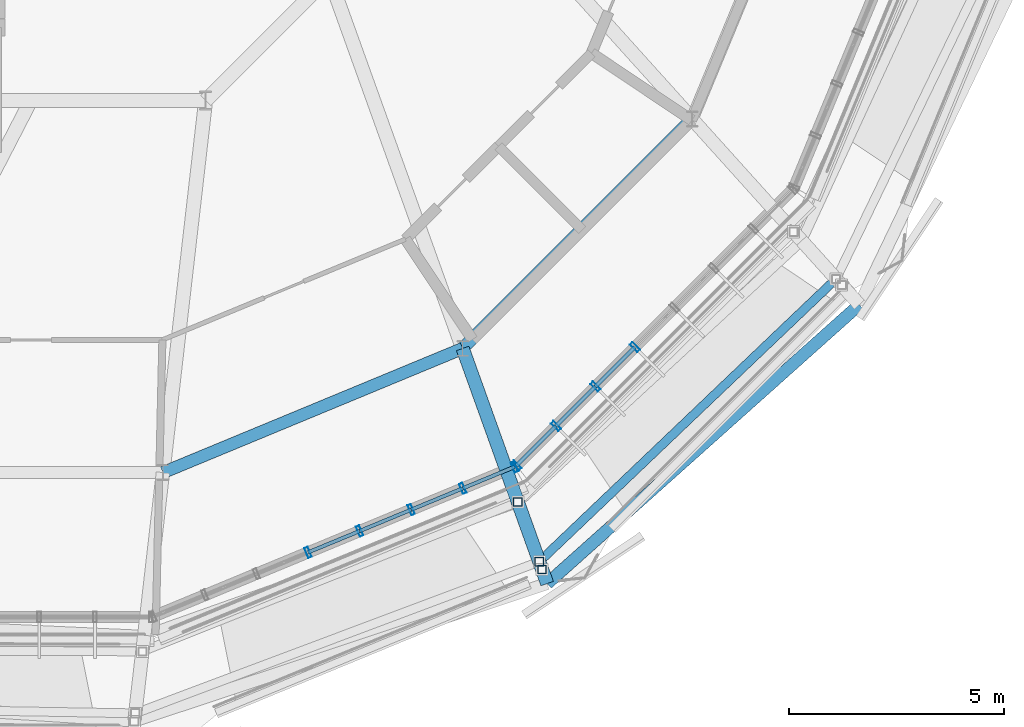
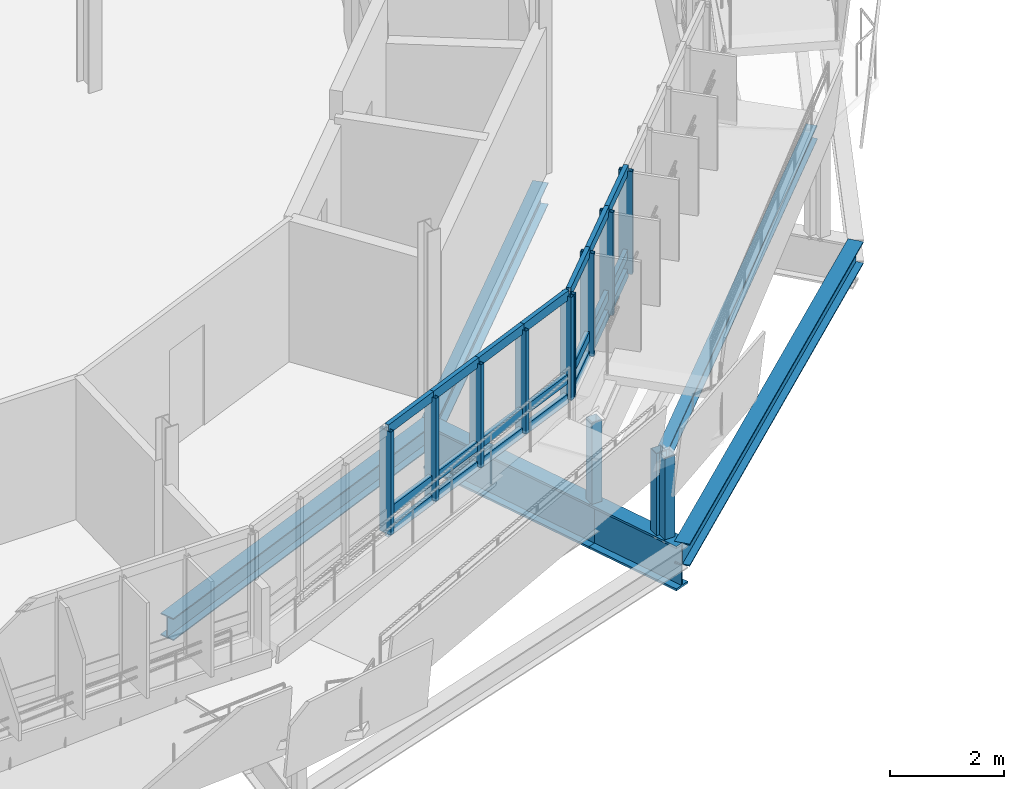
# One storey, part 10 of 38: 33 members, 6 beams, 2 elements without a shape of their own.
"""IFC4 building model written with IfcOpenShell, lengths in metres."""

from ifc_helpers import new_model, si_unit, derived_unit, direction, frame, origin, origin_2d, place, context, subcontext, project, spatial, hollow_rectangle, i_section, extrude, material, layer, layer_set, material_profile, profile_set, type_object, element, aggregate, save


model = new_model("IFC4")

# Units and contexts
model_context = context("Model", 3, precision=1e-05, world=origin(), true_north=direction((0.0, 1.0)))
body_context = subcontext(model_context, "Body", "Model", "MODEL_VIEW")
ifc_project = project(units=[si_unit("LENGTHUNIT", "METRE"), si_unit("AREAUNIT", "SQUARE_METRE"), si_unit("VOLUMEUNIT", "CUBIC_METRE"), si_unit("PLANEANGLEUNIT", "RADIAN"), si_unit("MASSUNIT", "GRAM", prefix="KILO"), derived_unit("THERMALTRANSMITTANCEUNIT", [(si_unit("MASSUNIT", "GRAM", prefix="KILO"), 1), (si_unit("TIMEUNIT", "SECOND"), -3), (si_unit("THERMODYNAMICTEMPERATUREUNIT", "KELVIN"), -1)])], contexts=[model_context])

# Site, building, storey
site_placement = place(None, origin())
site = spatial("IfcSite", under=ifc_project, at=site_placement, CompositionType="ELEMENT")
building_placement = place(site_placement, origin())
building = spatial("IfcBuilding", under=site, at=building_placement, Name="Makaiwela Harbour Ferry Terminal", CompositionType="ELEMENT")
storey_placement = place(building_placement, frame((0.0, 0.0, 17.699951171875)))
storey = spatial("IfcBuildingStorey", under=building, at=storey_placement, Name="L04", CompositionType="ELEMENT", Elevation=17.699951171875)

# Curtain wall, members
ifc_material_1 = material(Name="Marine anodised aluminium 6063-T6", Category="aluminium")
ifc_layer = layer(ifc_material_1, 0.199951171875)
ifc_layer_set = layer_set([ifc_layer], Name="Marine anodised aluminium 6063-T6")
curtain_wall_type = type_object("IfcCurtainWallType", Name="ENV-CW-06", PredefinedType="USERDEFINED", material=ifc_layer_set)
curtain_wall_1_placement = place(storey_placement, origin())
curtain_wall_1 = element("IfcCurtainWall", 1, at=curtain_wall_1_placement, inside=storey, type_object=curtain_wall_type, Name="Unitised Curtain Wall CWA-054", ObjectType="UNITIZED CURTAIN WALL", PredefinedType="USERDEFINED")
ifc_material_profile_1 = material_profile(ifc_material_1, hollow_rectangle(XDim=0.0849609375, YDim=0.25, WallThickness=0.0048828125, at=origin_2d()), Name="CWM-250X85")
ifc_profile_set_1 = profile_set([ifc_material_profile_1], Name="Marine anodised aluminium 6063-T6")
member_type_1 = type_object("IfcMemberType", Name="CW-MUL-250", PredefinedType="MULLION", material=ifc_profile_set_1)
member_1_placement = place(storey_placement, frame((44.234130859375, 47.318603515625, 1.47998046875), z_axis=(0.0, 0.0, 1.0), x_axis=(0.923879532511, 0.382683432365, 0.0)))
member_1 = element("IfcMember", 2, at=member_1_placement, type_object=member_type_1, Name="Curtain Wall Mullion CWA-054-4", PredefinedType="MULLION", context=body_context, shape_type="SweptSolid", body=[
    extrude(hollow_rectangle(XDim=0.0849609375, YDim=0.25, WallThickness=0.0048828125, at=origin_2d()), origin(), (0.0, 0.0, 1.0), 2.199951171875),
])
member_2_placement = place(storey_placement, frame((45.431396484375, 47.814453125, 1.47998046875), z_axis=(0.0, 0.0, 1.0), x_axis=(0.923879532511, 0.382683432365, 0.0)))
member_2 = element("IfcMember", 3, at=member_2_placement, type_object=member_type_1, Name="Curtain Wall Mullion CWA-054-5", PredefinedType="MULLION", context=body_context, shape_type="SweptSolid", body=[
    extrude(hollow_rectangle(XDim=0.0849609375, YDim=0.25, WallThickness=0.0048828125, at=origin_2d()), origin(), (0.0, 0.0, 1.0), 2.199951171875),
])
member_3_placement = place(storey_placement, frame((46.62841796875, 48.310302734375, 1.47998046875), z_axis=(0.0, 0.0, 1.0), x_axis=(0.923879532511, 0.382683432365, 0.0)))
member_3 = element("IfcMember", 4, at=member_3_placement, type_object=member_type_1, Name="Curtain Wall Mullion CWA-054-6", PredefinedType="MULLION", context=body_context, shape_type="SweptSolid", body=[
    extrude(hollow_rectangle(XDim=0.0849609375, YDim=0.25, WallThickness=0.0048828125, at=origin_2d()), origin(), (0.0, 0.0, 1.0), 2.199951171875),
])
member_4_placement = place(storey_placement, frame((47.825439453125, 48.80615234375, 1.47998046875), z_axis=(0.0, 0.0, 1.0), x_axis=(0.923879532511, 0.382683432365, 0.0)))
member_4 = element("IfcMember", 5, at=member_4_placement, type_object=member_type_1, Name="Curtain Wall Mullion CWA-054-7", PredefinedType="MULLION", context=body_context, shape_type="SweptSolid", body=[
    extrude(hollow_rectangle(XDim=0.0849609375, YDim=0.25, WallThickness=0.0048828125, at=origin_2d()), origin(), (0.0, 0.0, 1.0), 2.199951171875),
])
member_5_placement = place(storey_placement, frame((49.022705078125, 49.302001953125, 1.47998046875), z_axis=(0.0, 0.0, 1.0), x_axis=(0.923879532511, 0.382683432365, 0.0)))
member_5 = element("IfcMember", 6, at=member_5_placement, type_object=member_type_1, Name="Curtain Wall Mullion CWA-054-8", PredefinedType="MULLION", context=body_context, shape_type="SweptSolid", body=[
    extrude(hollow_rectangle(XDim=0.0849609375, YDim=0.25, WallThickness=0.0048828125, at=origin_2d()), origin(), (0.0, 0.0, 1.0), 2.199951171875),
])

curtain_wall_2_placement = place(storey_placement, origin())
curtain_wall_2 = element("IfcCurtainWall", 7, at=curtain_wall_2_placement, inside=storey, type_object=curtain_wall_type, Name="Unitised Curtain Wall CWA-055", ObjectType="UNITIZED CURTAIN WALL", PredefinedType="USERDEFINED")
member_6_placement = place(storey_placement, frame((49.071533203125, 49.334716796875, 1.47998046875), z_axis=(0.0, 0.0, 1.0), x_axis=(0.707106781187, 0.707106781187, 0.0)))
member_6 = element("IfcMember", 8, at=member_6_placement, type_object=member_type_1, Name="Curtain Wall Mullion CWA-055-1", PredefinedType="MULLION", context=body_context, shape_type="SweptSolid", body=[
    extrude(hollow_rectangle(XDim=0.0849609375, YDim=0.25, WallThickness=0.0048828125, at=origin_2d()), origin(), (0.0, 0.0, 1.0), 2.199951171875),
])
member_7_placement = place(storey_placement, frame((49.98779296875, 50.2509765625, 1.47998046875), z_axis=(0.0, 0.0, 1.0), x_axis=(0.707106781187, 0.707106781187, 0.0)))
member_7 = element("IfcMember", 9, at=member_7_placement, type_object=member_type_1, Name="Curtain Wall Mullion CWA-055-2", PredefinedType="MULLION", context=body_context, shape_type="SweptSolid", body=[
    extrude(hollow_rectangle(XDim=0.0849609375, YDim=0.25, WallThickness=0.0048828125, at=origin_2d()), origin(), (0.0, 0.0, 1.0), 2.199951171875),
])
member_8_placement = place(storey_placement, frame((50.904052734375, 51.167236328125, 1.47998046875), z_axis=(0.0, 0.0, 1.0), x_axis=(0.707106781187, 0.707106781187, 0.0)))
member_8 = element("IfcMember", 10, at=member_8_placement, type_object=member_type_1, Name="Curtain Wall Mullion CWA-055-3", PredefinedType="MULLION", context=body_context, shape_type="SweptSolid", body=[
    extrude(hollow_rectangle(XDim=0.0849609375, YDim=0.25, WallThickness=0.0048828125, at=origin_2d()), origin(), (0.0, 0.0, 1.0), 2.199951171875),
])
member_9_placement = place(storey_placement, frame((51.8203125, 52.08349609375, 1.47998046875), z_axis=(0.0, 0.0, 1.0), x_axis=(0.707106781187, 0.707106781187, 0.0)))
member_9 = element("IfcMember", 11, at=member_9_placement, type_object=member_type_1, Name="Curtain Wall Mullion CWA-055-4", PredefinedType="MULLION", context=body_context, shape_type="SweptSolid", body=[
    extrude(hollow_rectangle(XDim=0.0849609375, YDim=0.25, WallThickness=0.0048828125, at=origin_2d()), origin(), (0.0, 0.0, 1.0), 2.199951171875),
])

# Member
ifc_material_profile_2 = material_profile(ifc_material_1, hollow_rectangle(XDim=0.0849609375, YDim=0.199951171875, WallThickness=0.0048828125, at=origin_2d()), Name="CWT-200X85")
ifc_profile_set_2 = profile_set([ifc_material_profile_2], Name="Marine anodised aluminium 6063-T6")
member_type_2 = type_object("IfcMemberType", Name="CW-TRN-200", PredefinedType="USERDEFINED", material=ifc_profile_set_2)
member_10_placement = place(storey_placement, frame((44.234130859375, 47.318603515625, 1.47998046875), z_axis=(0.923899734227, 0.382634657467, 0.0), x_axis=(-0.382634657467, 0.923899734227, 0.0)))
member_10 = element("IfcMember", 12, at=member_10_placement, type_object=member_type_2, Name="Curtain Wall Transom CWA-054-4-1", ObjectType="TRANSOM", PredefinedType="USERDEFINED", context=body_context, shape_type="SweptSolid", body=[
    extrude(hollow_rectangle(XDim=0.0849609375, YDim=0.199951171875, WallThickness=0.0048828125, at=origin_2d()), origin(), (0.0, 0.0, 1.0), 1.2958984375),
])

member_11_placement = place(storey_placement, frame((44.234130859375, 47.318603515625, 1.900146484375), z_axis=(0.923899734227, 0.382634657467, 0.0), x_axis=(-0.382634657467, 0.923899734227, 0.0)))
member_11 = element("IfcMember", 13, at=member_11_placement, type_object=member_type_2, Name="Curtain Wall Transom CWA-054-4-2", ObjectType="TRANSOM", PredefinedType="USERDEFINED", context=body_context, shape_type="SweptSolid", body=[
    extrude(hollow_rectangle(XDim=0.0849609375, YDim=0.199951171875, WallThickness=0.0048828125, at=origin_2d()), origin(), (0.0, 0.0, 1.0), 1.2958984375),
])

member_12_placement = place(storey_placement, frame((44.234130859375, 47.318603515625, 3.679931640625), z_axis=(0.923899734227, 0.382634657467, 0.0), x_axis=(-0.382634657467, 0.923899734227, 0.0)))
member_12 = element("IfcMember", 14, at=member_12_placement, type_object=member_type_2, Name="Curtain Wall Transom CWA-054-4-3", ObjectType="TRANSOM", PredefinedType="USERDEFINED", context=body_context, shape_type="SweptSolid", body=[
    extrude(hollow_rectangle(XDim=0.0849609375, YDim=0.199951171875, WallThickness=0.0048828125, at=origin_2d()), origin(), (0.0, 0.0, 1.0), 1.2958984375),
])

member_13_placement = place(storey_placement, frame((45.431396484375, 47.814453125, 1.47998046875), z_axis=(0.92387214393, 0.382701269492, 0.0), x_axis=(-0.382701269492, 0.92387214393, 0.0)))
member_13 = element("IfcMember", 15, at=member_13_placement, type_object=member_type_2, Name="Curtain Wall Transom CWA-054-5-1", ObjectType="TRANSOM", PredefinedType="USERDEFINED", context=body_context, shape_type="SweptSolid", body=[
    extrude(hollow_rectangle(XDim=0.0849609375, YDim=0.199951171875, WallThickness=0.0048828125, at=origin_2d()), origin(), (0.0, 0.0, 1.0), 1.295654296875),
])

member_14_placement = place(storey_placement, frame((45.431396484375, 47.814453125, 1.900146484375), z_axis=(0.92387214393, 0.382701269492, 0.0), x_axis=(-0.382701269492, 0.92387214393, 0.0)))
member_14 = element("IfcMember", 16, at=member_14_placement, type_object=member_type_2, Name="Curtain Wall Transom CWA-054-5-2", ObjectType="TRANSOM", PredefinedType="USERDEFINED", context=body_context, shape_type="SweptSolid", body=[
    extrude(hollow_rectangle(XDim=0.0849609375, YDim=0.199951171875, WallThickness=0.0048828125, at=origin_2d()), origin(), (0.0, 0.0, 1.0), 1.295654296875),
])

member_15_placement = place(storey_placement, frame((45.431396484375, 47.814453125, 3.679931640625), z_axis=(0.92387214393, 0.382701269492, 0.0), x_axis=(-0.382701269492, 0.92387214393, 0.0)))
member_15 = element("IfcMember", 17, at=member_15_placement, type_object=member_type_2, Name="Curtain Wall Transom CWA-054-5-3", ObjectType="TRANSOM", PredefinedType="USERDEFINED", context=body_context, shape_type="SweptSolid", body=[
    extrude(hollow_rectangle(XDim=0.0849609375, YDim=0.199951171875, WallThickness=0.0048828125, at=origin_2d()), origin(), (0.0, 0.0, 1.0), 1.295654296875),
])

member_16_placement = place(storey_placement, frame((46.62841796875, 48.310302734375, 1.47998046875), z_axis=(0.92387214393, 0.382701269492, 0.0), x_axis=(-0.382701269492, 0.92387214393, 0.0)))
member_16 = element("IfcMember", 18, at=member_16_placement, type_object=member_type_2, Name="Curtain Wall Transom CWA-054-6-1", ObjectType="TRANSOM", PredefinedType="USERDEFINED", context=body_context, shape_type="SweptSolid", body=[
    extrude(hollow_rectangle(XDim=0.0849609375, YDim=0.199951171875, WallThickness=0.0048828125, at=origin_2d()), origin(), (0.0, 0.0, 1.0), 1.295654296875),
])

member_17_placement = place(storey_placement, frame((46.62841796875, 48.310302734375, 1.900146484375), z_axis=(0.92387214393, 0.382701269492, 0.0), x_axis=(-0.382701269492, 0.92387214393, 0.0)))
member_17 = element("IfcMember", 19, at=member_17_placement, type_object=member_type_2, Name="Curtain Wall Transom CWA-054-6-2", ObjectType="TRANSOM", PredefinedType="USERDEFINED", context=body_context, shape_type="SweptSolid", body=[
    extrude(hollow_rectangle(XDim=0.0849609375, YDim=0.199951171875, WallThickness=0.0048828125, at=origin_2d()), origin(), (0.0, 0.0, 1.0), 1.295654296875),
])

member_18_placement = place(storey_placement, frame((46.62841796875, 48.310302734375, 3.679931640625), z_axis=(0.92387214393, 0.382701269492, 0.0), x_axis=(-0.382701269492, 0.92387214393, 0.0)))
member_18 = element("IfcMember", 20, at=member_18_placement, type_object=member_type_2, Name="Curtain Wall Transom CWA-054-6-3", ObjectType="TRANSOM", PredefinedType="USERDEFINED", context=body_context, shape_type="SweptSolid", body=[
    extrude(hollow_rectangle(XDim=0.0849609375, YDim=0.199951171875, WallThickness=0.0048828125, at=origin_2d()), origin(), (0.0, 0.0, 1.0), 1.295654296875),
])

member_19_placement = place(storey_placement, frame((47.825439453125, 48.80615234375, 1.47998046875), z_axis=(0.923899734227, 0.382634657467, 0.0), x_axis=(-0.382634657467, 0.923899734227, 0.0)))
member_19 = element("IfcMember", 21, at=member_19_placement, type_object=member_type_2, Name="Curtain Wall Transom CWA-054-7-1", ObjectType="TRANSOM", PredefinedType="USERDEFINED", context=body_context, shape_type="SweptSolid", body=[
    extrude(hollow_rectangle(XDim=0.0849609375, YDim=0.199951171875, WallThickness=0.0048828125, at=origin_2d()), origin(), (0.0, 0.0, 1.0), 1.2958984375),
])

member_20_placement = place(storey_placement, frame((47.825439453125, 48.80615234375, 1.900146484375), z_axis=(0.923899734227, 0.382634657467, 0.0), x_axis=(-0.382634657467, 0.923899734227, 0.0)))
member_20 = element("IfcMember", 22, at=member_20_placement, type_object=member_type_2, Name="Curtain Wall Transom CWA-054-7-2", ObjectType="TRANSOM", PredefinedType="USERDEFINED", context=body_context, shape_type="SweptSolid", body=[
    extrude(hollow_rectangle(XDim=0.0849609375, YDim=0.199951171875, WallThickness=0.0048828125, at=origin_2d()), origin(), (0.0, 0.0, 1.0), 1.2958984375),
])

member_21_placement = place(storey_placement, frame((47.825439453125, 48.80615234375, 3.679931640625), z_axis=(0.923899734227, 0.382634657467, 0.0), x_axis=(-0.382634657467, 0.923899734227, 0.0)))
member_21 = element("IfcMember", 23, at=member_21_placement, type_object=member_type_2, Name="Curtain Wall Transom CWA-054-7-3", ObjectType="TRANSOM", PredefinedType="USERDEFINED", context=body_context, shape_type="SweptSolid", body=[
    extrude(hollow_rectangle(XDim=0.0849609375, YDim=0.199951171875, WallThickness=0.0048828125, at=origin_2d()), origin(), (0.0, 0.0, 1.0), 1.2958984375),
])

aggregate(curtain_wall_1, [member_1, member_2, member_3, member_4, member_5, member_10, member_11, member_12, member_13, member_14, member_15, member_16, member_17, member_18, member_19, member_20, member_21])

member_22_placement = place(storey_placement, frame((49.071533203125, 49.334716796875, 1.47998046875), z_axis=(0.707106781187, 0.707106781187, 0.0), x_axis=(-0.707106781187, 0.707106781187, 0.0)))
member_22 = element("IfcMember", 24, at=member_22_placement, type_object=member_type_2, Name="Curtain Wall Transom CWA-055-1-1", ObjectType="TRANSOM", PredefinedType="USERDEFINED", context=body_context, shape_type="SweptSolid", body=[
    extrude(hollow_rectangle(XDim=0.0849609375, YDim=0.199951171875, WallThickness=0.0048828125, at=origin_2d()), origin(), (0.0, 0.0, 1.0), 1.2958984375),
])

member_23_placement = place(storey_placement, frame((49.071533203125, 49.334716796875, 1.900146484375), z_axis=(0.707106781187, 0.707106781187, 0.0), x_axis=(-0.707106781187, 0.707106781187, 0.0)))
member_23 = element("IfcMember", 25, at=member_23_placement, type_object=member_type_2, Name="Curtain Wall Transom CWA-055-1-2", ObjectType="TRANSOM", PredefinedType="USERDEFINED", context=body_context, shape_type="SweptSolid", body=[
    extrude(hollow_rectangle(XDim=0.0849609375, YDim=0.199951171875, WallThickness=0.0048828125, at=origin_2d()), origin(), (0.0, 0.0, 1.0), 1.2958984375),
])

member_24_placement = place(storey_placement, frame((49.071533203125, 49.334716796875, 3.679931640625), z_axis=(0.707106781187, 0.707106781187, 0.0), x_axis=(-0.707106781187, 0.707106781187, 0.0)))
member_24 = element("IfcMember", 26, at=member_24_placement, type_object=member_type_2, Name="Curtain Wall Transom CWA-055-1-3", ObjectType="TRANSOM", PredefinedType="USERDEFINED", context=body_context, shape_type="SweptSolid", body=[
    extrude(hollow_rectangle(XDim=0.0849609375, YDim=0.199951171875, WallThickness=0.0048828125, at=origin_2d()), origin(), (0.0, 0.0, 1.0), 1.2958984375),
])

member_25_placement = place(storey_placement, frame((49.98779296875, 50.2509765625, 1.47998046875), z_axis=(0.707106781187, 0.707106781187, 0.0), x_axis=(-0.707106781187, 0.707106781187, 0.0)))
member_25 = element("IfcMember", 27, at=member_25_placement, type_object=member_type_2, Name="Curtain Wall Transom CWA-055-2-1", ObjectType="TRANSOM", PredefinedType="USERDEFINED", context=body_context, shape_type="SweptSolid", body=[
    extrude(hollow_rectangle(XDim=0.0849609375, YDim=0.199951171875, WallThickness=0.0048828125, at=origin_2d()), origin(), (0.0, 0.0, 1.0), 1.2958984375),
])

member_26_placement = place(storey_placement, frame((49.98779296875, 50.2509765625, 1.900146484375), z_axis=(0.707106781187, 0.707106781187, 0.0), x_axis=(-0.707106781187, 0.707106781187, 0.0)))
member_26 = element("IfcMember", 28, at=member_26_placement, type_object=member_type_2, Name="Curtain Wall Transom CWA-055-2-2", ObjectType="TRANSOM", PredefinedType="USERDEFINED", context=body_context, shape_type="SweptSolid", body=[
    extrude(hollow_rectangle(XDim=0.0849609375, YDim=0.199951171875, WallThickness=0.0048828125, at=origin_2d()), origin(), (0.0, 0.0, 1.0), 1.2958984375),
])

member_27_placement = place(storey_placement, frame((49.98779296875, 50.2509765625, 3.679931640625), z_axis=(0.707106781187, 0.707106781187, 0.0), x_axis=(-0.707106781187, 0.707106781187, 0.0)))
member_27 = element("IfcMember", 29, at=member_27_placement, type_object=member_type_2, Name="Curtain Wall Transom CWA-055-2-3", ObjectType="TRANSOM", PredefinedType="USERDEFINED", context=body_context, shape_type="SweptSolid", body=[
    extrude(hollow_rectangle(XDim=0.0849609375, YDim=0.199951171875, WallThickness=0.0048828125, at=origin_2d()), origin(), (0.0, 0.0, 1.0), 1.2958984375),
])

member_28_placement = place(storey_placement, frame((50.904052734375, 51.167236328125, 1.47998046875), z_axis=(0.707106781187, 0.707106781187, 0.0), x_axis=(-0.707106781187, 0.707106781187, 0.0)))
member_28 = element("IfcMember", 30, at=member_28_placement, type_object=member_type_2, Name="Curtain Wall Transom CWA-055-3-1", ObjectType="TRANSOM", PredefinedType="USERDEFINED", context=body_context, shape_type="SweptSolid", body=[
    extrude(hollow_rectangle(XDim=0.0849609375, YDim=0.199951171875, WallThickness=0.0048828125, at=origin_2d()), origin(), (0.0, 0.0, 1.0), 1.2958984375),
])

member_29_placement = place(storey_placement, frame((50.904052734375, 51.167236328125, 1.900146484375), z_axis=(0.707106781187, 0.707106781187, 0.0), x_axis=(-0.707106781187, 0.707106781187, 0.0)))
member_29 = element("IfcMember", 31, at=member_29_placement, type_object=member_type_2, Name="Curtain Wall Transom CWA-055-3-2", ObjectType="TRANSOM", PredefinedType="USERDEFINED", context=body_context, shape_type="SweptSolid", body=[
    extrude(hollow_rectangle(XDim=0.0849609375, YDim=0.199951171875, WallThickness=0.0048828125, at=origin_2d()), origin(), (0.0, 0.0, 1.0), 1.2958984375),
])

member_30_placement = place(storey_placement, frame((50.904052734375, 51.167236328125, 3.679931640625), z_axis=(0.707106781187, 0.707106781187, 0.0), x_axis=(-0.707106781187, 0.707106781187, 0.0)))
member_30 = element("IfcMember", 32, at=member_30_placement, type_object=member_type_2, Name="Curtain Wall Transom CWA-055-3-3", ObjectType="TRANSOM", PredefinedType="USERDEFINED", context=body_context, shape_type="SweptSolid", body=[
    extrude(hollow_rectangle(XDim=0.0849609375, YDim=0.199951171875, WallThickness=0.0048828125, at=origin_2d()), origin(), (0.0, 0.0, 1.0), 1.2958984375),
])

aggregate(curtain_wall_2, [member_6, member_7, member_8, member_9, member_22, member_23, member_24, member_25, member_26, member_27, member_28, member_29, member_30])

# Beams
ifc_material_2 = material(Name="Steel ASTM A992 Grade 50", Category="steel")
ifc_material_profile_3 = material_profile(ifc_material_2, i_section(OverallWidth=0.31005859375, OverallDepth=0.949951171875, WebThickness=0.0244140625, FlangeThickness=0.0439453125, at=origin_2d()), Name="W36X256")
ifc_profile_set_3 = profile_set([ifc_material_profile_3], Name="Steel ASTM A992 Grade 50")
beam_type_1 = type_object("IfcBeamType", Name="STR-GRD-W36X256", PredefinedType="USERDEFINED", material=ifc_profile_set_3)
beam_1_placement = place(storey_placement, frame((47.822509765625, 52.052490234375, -0.72998046875), z_axis=(0.338134714011, -0.941097718189, 0.0), x_axis=(0.941097718189, 0.338134714011, 0.0)))
element("IfcBeam", 33, at=beam_1_placement, inside=storey, type_object=beam_type_1, Name="Drum radial overhang 445", ObjectType="GIRDER", PredefinedType="USERDEFINED", context=body_context, shape_type="SweptSolid", body=[
    extrude(i_section(OverallWidth=0.31005859375, OverallDepth=0.949951171875, WebThickness=0.0244140625, FlangeThickness=0.0439453125, at=origin_2d()), origin(), (0.0, 0.0, 1.0), 3.800048828125),
])
beam_2_placement = place(storey_placement, frame((49.107421875, 48.476318359375, -0.72998046875), z_axis=(0.338044990748, -0.941129950767, 0.0), x_axis=(0.941129950767, 0.338044990748, 0.0)))
element("IfcBeam", 34, at=beam_2_placement, inside=storey, type_object=beam_type_1, Name="Drum overhang radial girder 446", ObjectType="GIRDER", PredefinedType="USERDEFINED", context=body_context, shape_type="SweptSolid", body=[
    extrude(i_section(OverallWidth=0.31005859375, OverallDepth=0.949951171875, WebThickness=0.0244140625, FlangeThickness=0.0439453125, at=origin_2d()), origin(), (0.0, 0.0, 1.0), 1.999755859375),
])
ifc_material_profile_4 = material_profile(ifc_material_2, i_section(OverallWidth=0.205078125, OverallDepth=0.31005859375, WebThickness=0.009521484375, FlangeThickness=0.016357421875, at=origin_2d()), Name="W12X50")
ifc_profile_set_4 = profile_set([ifc_material_profile_4], Name="Steel ASTM A992 Grade 50")
beam_type_2 = type_object("IfcBeamType", Name="STR-LNT-W12X50", PredefinedType="LINTEL", material=ifc_profile_set_4)
beam_3_placement = place(storey_placement, frame((49.6005859375, 47.103271484375, 1.157958984375), z_axis=(0.721834071044, 0.687735098165, 0.077304648192), x_axis=(-0.689799310039, 0.724000629744, 0.0)))
element("IfcBeam", 35, at=beam_3_placement, inside=storey, type_object=beam_type_2, Name="Coiled Ramp Stringer L04-F4-OUT", PredefinedType="LINTEL", context=body_context, shape_type="SweptSolid", body=[
    extrude(i_section(OverallWidth=0.205078125, OverallDepth=0.31005859375, WebThickness=0.009521484375, FlangeThickness=0.016357421875, at=origin_2d()), origin(), (0.0, 0.0, 1.0), 9.5439453125),
])

# Members
ifc_material_3 = material(Name="Steel ASTM A500 Grade C", Category="steel")
ifc_material_profile_5 = material_profile(ifc_material_3, hollow_rectangle(XDim=0.202880859375, YDim=0.202880859375, WallThickness=0.01171875, at=origin_2d()), Name="HSS8X8X1/2")
ifc_profile_set_5 = profile_set([ifc_material_profile_5], Name="Steel ASTM A500 Grade C")
member_type_3 = type_object("IfcMemberType", Name="STR-PST-HSS8", PredefinedType="POST", material=ifc_profile_set_5)
member_31_placement = place(storey_placement, frame((49.101806640625, 48.491455078125, -0.27490234375), z_axis=(0.0, 0.0, 1.0), x_axis=(1.0, 0.0, 0.0)))
element("IfcMember", 36, at=member_31_placement, inside=storey, type_object=member_type_3, Name="Exterior Ramp Support Post RP-0095", PredefinedType="POST", context=body_context, shape_type="SweptSolid", body=[
    extrude(hollow_rectangle(XDim=0.202880859375, YDim=0.202880859375, WallThickness=0.01171875, at=origin_2d()), origin(), (0.0, 0.0, 1.0), 1.771240234375),
])
member_32_placement = place(storey_placement, frame((49.666259765625, 46.920654296875, -0.27490234375), z_axis=(0.0, 0.0, 1.0), x_axis=(1.0, 0.0, 0.0)))
element("IfcMember", 37, at=member_32_placement, inside=storey, type_object=member_type_3, Name="Exterior Ramp Support Post RP-0096", PredefinedType="POST", context=body_context, shape_type="SweptSolid", body=[
    extrude(hollow_rectangle(XDim=0.202880859375, YDim=0.202880859375, WallThickness=0.01171875, at=origin_2d()), origin(), (0.0, 0.0, 1.0), 1.7763671875),
])
member_33_placement = place(storey_placement, frame((49.6005859375, 47.103271484375, -0.27490234375), z_axis=(0.0, 0.0, 1.0), x_axis=(1.0, 0.0, 0.0)))
element("IfcMember", 38, at=member_33_placement, inside=storey, type_object=member_type_3, Name="Exterior Ramp Support Post RP-0097", PredefinedType="POST", context=body_context, shape_type="SweptSolid", body=[
    extrude(hollow_rectangle(XDim=0.202880859375, YDim=0.202880859375, WallThickness=0.01171875, at=origin_2d()), origin(), (0.0, 0.0, 1.0), 1.768310546875),
])

# Beams
ifc_material_profile_6 = material_profile(ifc_material_2, i_section(OverallWidth=0.283935546875, OverallDepth=0.47607421875, WebThickness=0.014892578125, FlangeThickness=0.02392578125, at=origin_2d()), Name="W18X106")
ifc_profile_set_6 = profile_set([ifc_material_profile_6], Name="Steel ASTM A992 Grade 50")
beam_type_3 = type_object("IfcBeamType", Name="STR-SPN-W18X106", PredefinedType="SPANDREL", material=ifc_profile_set_6)
for number, where, z_axis, x_axis, name in (
    (39, (40.865234375, 49.1708984375, -0.492919921875), (0.92388920519, 0.382660079618, 0.0), (-0.382660079618, 0.92388920519, 0.0), "Drum column ring girder 393"),
    (40, (47.822509765625, 52.052490234375, -0.492919921875), (0.707106781187, 0.707106781187, 0.0), (-0.707106781187, 0.707106781187, 0.0), "Drum column ring girder 394"),
):
    element("IfcBeam", number, at=place(storey_placement, frame(where, z_axis=z_axis, x_axis=x_axis)), inside=storey, type_object=beam_type_3, Name=name, PredefinedType="SPANDREL", context=body_context, shape_type="SweptSolid", body=[
        extrude(i_section(OverallWidth=0.283935546875, OverallDepth=0.47607421875, WebThickness=0.014892578125, FlangeThickness=0.02392578125, at=origin_2d()), origin(), (0.0, 0.0, 1.0), 7.530517578125),
    ])
beam_4_placement = place(storey_placement, frame((49.783447265625, 46.59423828125, -0.492919921875), z_axis=(0.745714267637, 0.666265886146, 0.0), x_axis=(-0.666265886146, 0.745714267637, 0.0)))
element("IfcBeam", 41, at=beam_4_placement, inside=storey, type_object=beam_type_3, Name="Drum perimeter spandrel 493", PredefinedType="SPANDREL", context=body_context, shape_type="SweptSolid", body=[
    extrude(i_section(OverallWidth=0.283935546875, OverallDepth=0.47607421875, WebThickness=0.014892578125, FlangeThickness=0.02392578125, at=origin_2d()), origin(), (0.0, 0.0, 1.0), 9.716552734375),
])

save(model, "model.ifc")
